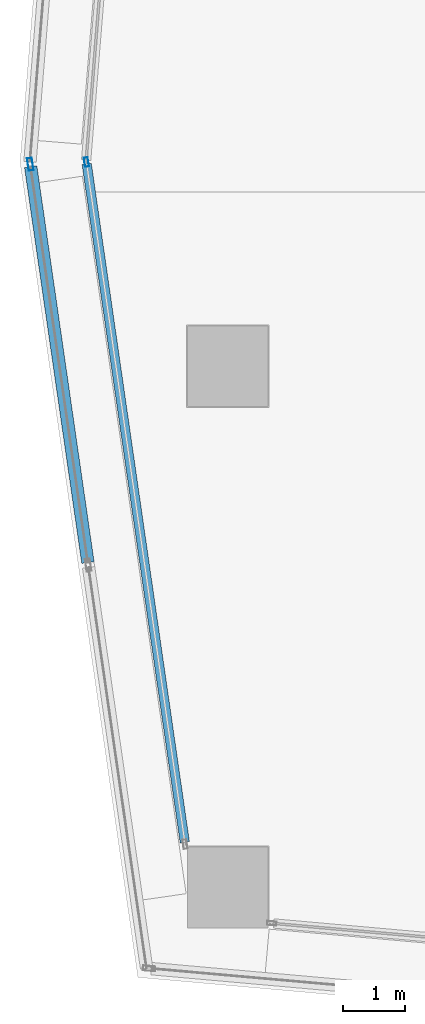
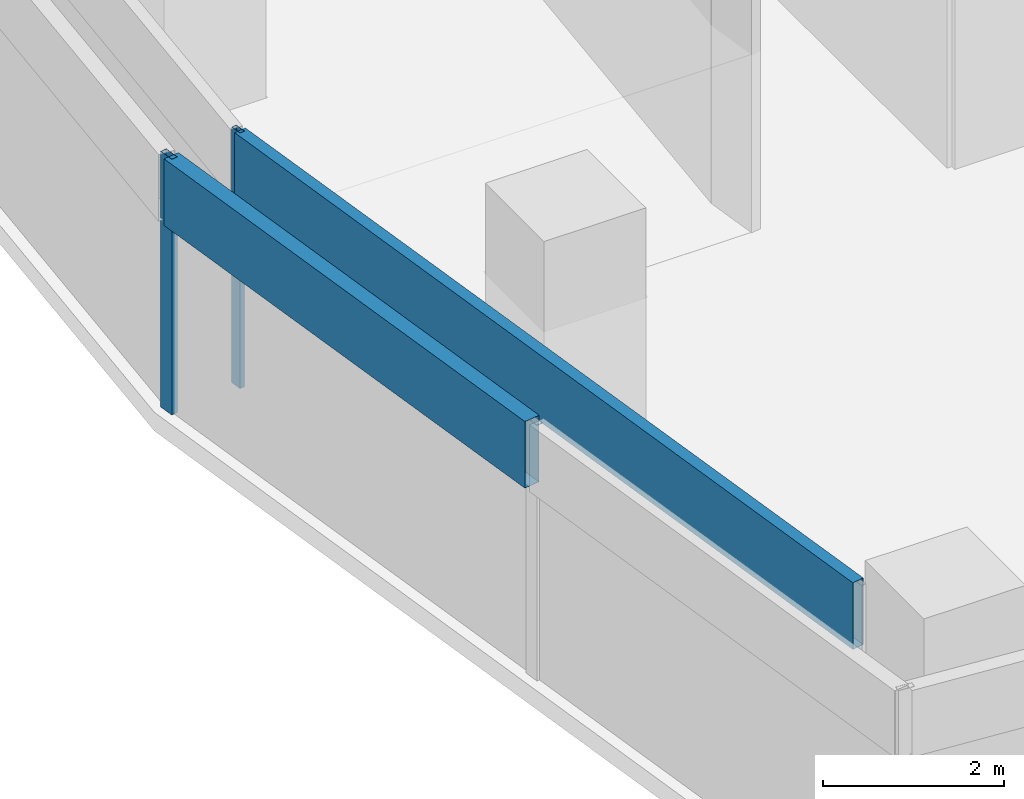
# One storey, part 4 of 30: 4 members, 2 elements without a shape of their own.
"""IFC4 building model written with IfcOpenShell, lengths in metres."""

from ifc_helpers import new_model, si_unit, direction, frame, origin, origin_2d, place, context, subcontext, project, spatial, hollow_rectangle, extrude, material, material_profile, profile_set, type_object, element, aggregate, save


model = new_model("IFC4")

# Units and contexts
model_context = context("Model", 3, precision=1e-05, world=origin(), true_north=direction((0.0, 1.0)))
body_context = subcontext(model_context, "Body", "Model", "MODEL_VIEW")
ifc_project = project(units=[si_unit("LENGTHUNIT", "METRE"), si_unit("AREAUNIT", "SQUARE_METRE"), si_unit("VOLUMEUNIT", "CUBIC_METRE"), si_unit("PLANEANGLEUNIT", "RADIAN"), si_unit("MASSUNIT", "GRAM", prefix="KILO")], contexts=[model_context])

# Site, building, storey
site_placement = place(None, origin())
site = spatial("IfcSite", under=ifc_project, at=site_placement, CompositionType="ELEMENT")
building_placement = place(site_placement, origin())
building = spatial("IfcBuilding", under=site, at=building_placement, Name="Rekha Terrace Tower", CompositionType="ELEMENT")
storey_placement = place(building_placement, frame((0.0, 0.0, 287.60009765625)))
storey = spatial("IfcBuildingStorey", under=building, at=storey_placement, Name="L73", CompositionType="ELEMENT", Elevation=287.60009765625)

# Curtain wall, members
ifc_material_1 = material(Name="Aluminium framing", Category="aluminium")
curtain_wall_type_1 = type_object("IfcCurtainWallType", Name="CW1 double skin inner glazing", PredefinedType="USERDEFINED", material=ifc_material_1)
curtain_wall_1_placement = place(storey_placement, origin())
curtain_wall_1 = element("IfcCurtainWall", 1, at=curtain_wall_1_placement, inside=storey, type_object=curtain_wall_type_1, Name="CW1 double skin inner glazing", ObjectType="DOUBLE SKIN INNER GLAZING", PredefinedType="USERDEFINED")
ifc_material_2 = material(Name="Aluminium mullion section", Category="aluminium")
ifc_material_profile_1 = material_profile(ifc_material_2, hollow_rectangle(XDim=0.06494140625, YDim=0.14990234375, WallThickness=0.00390625, at=origin_2d()), Name="AL RHS 65x150")
ifc_profile_set_1 = profile_set([ifc_material_profile_1], Name="Aluminium mullion section")
member_type_1 = type_object("IfcMemberType", Name="CW1 mullion RHS 65 x 150", PredefinedType="MULLION", material=ifc_profile_set_1)
member_1_placement = place(storey_placement, frame((6.120849609375, 28.4912109375, 0.0), z_axis=(0.0, 0.0, 1.0), x_axis=(0.989707031394, 0.143108322643, 0.0)))
member_1 = element("IfcMember", 2, at=member_1_placement, type_object=member_type_1, Name="CW1 mullion 1", PredefinedType="MULLION", context=body_context, shape_type="SweptSolid", body=[
    extrude(hollow_rectangle(XDim=0.06494140625, YDim=0.14990234375, WallThickness=0.00390625, at=origin_2d()), origin(), (0.0, 0.0, 1.0), 3.449951171875),
])
ifc_material_3 = material(Name="Insulated aluminium spandrel box", Category="aluminium")
ifc_material_profile_2 = material_profile(ifc_material_3, hollow_rectangle(XDim=0.14990234375, YDim=0.89990234375, WallThickness=0.0029296875, at=origin_2d()), Name="AL SPANDREL BOX 150x900")
ifc_profile_set_2 = profile_set([ifc_material_profile_2], Name="Insulated aluminium spandrel box")
member_type_2 = type_object("IfcMemberType", Name="CW1 spandrel transom 150 x 900", PredefinedType="USERDEFINED", material=ifc_profile_set_2)
member_2_placement = place(storey_placement, frame((6.12548828125, 28.458984375, 3.0), z_axis=(0.143104894735, -0.989707527052, 0.0), x_axis=(0.989707527052, 0.143104894735, 0.0)))
member_2 = element("IfcMember", 3, at=member_2_placement, type_object=member_type_2, Name="CW1 spandrel transom 1", ObjectType="TRANSOM", PredefinedType="USERDEFINED", context=body_context, shape_type="SweptSolid", body=[
    extrude(hollow_rectangle(XDim=0.14990234375, YDim=0.89990234375, WallThickness=0.0029296875, at=origin_2d()), origin(), (0.0, 0.0, 1.0), 11.043212890625),
])
aggregate(curtain_wall_1, [member_1, member_2])

curtain_wall_type_2 = type_object("IfcCurtainWallType", Name="CW2 double skin outer glazing", PredefinedType="USERDEFINED", material=ifc_material_1)
curtain_wall_2_placement = place(storey_placement, origin())
curtain_wall_2 = element("IfcCurtainWall", 4, at=curtain_wall_2_placement, inside=storey, type_object=curtain_wall_type_2, Name="CW2 double skin outer glazing", ObjectType="DOUBLE SKIN OUTER GLAZING", PredefinedType="USERDEFINED")
ifc_material_profile_3 = material_profile(ifc_material_2, hollow_rectangle(XDim=0.080078125, YDim=0.199951171875, WallThickness=0.00390625, at=origin_2d()), Name="AL RHS 80x200")
ifc_profile_set_3 = profile_set([ifc_material_profile_3], Name="Aluminium mullion section")
member_type_3 = type_object("IfcMemberType", Name="CW2 mullion RHS 80 x 200", PredefinedType="MULLION", material=ifc_profile_set_3)
member_3_placement = place(storey_placement, frame((5.216552734375, 28.455322265625, 0.0), z_axis=(0.0, 0.0, 1.0), x_axis=(0.989707031389, 0.143108322678, 0.0)))
member_3 = element("IfcMember", 5, at=member_3_placement, type_object=member_type_3, Name="CW2 mullion 1", PredefinedType="MULLION", context=body_context, shape_type="SweptSolid", body=[
    extrude(hollow_rectangle(XDim=0.080078125, YDim=0.199951171875, WallThickness=0.00390625, at=origin_2d()), origin(), (0.0, 0.0, 1.0), 3.449951171875),
])
ifc_material_profile_4 = material_profile(ifc_material_3, hollow_rectangle(XDim=0.199951171875, YDim=0.89990234375, WallThickness=0.0029296875, at=origin_2d()), Name="AL SPANDREL BOX 200x900")
ifc_profile_set_4 = profile_set([ifc_material_profile_4], Name="Insulated aluminium spandrel box")
member_type_4 = type_object("IfcMemberType", Name="CW2 spandrel transom 200 x 900", PredefinedType="USERDEFINED", material=ifc_profile_set_4)
member_4_placement = place(storey_placement, frame((5.222412109375, 28.415771484375, 3.0), z_axis=(0.143091438807, -0.989709472593, 0.0), x_axis=(0.989709472593, 0.143091438807, 0.0)))
member_4 = element("IfcMember", 6, at=member_4_placement, type_object=member_type_4, Name="CW2 spandrel transom 1", ObjectType="TRANSOM", PredefinedType="USERDEFINED", context=body_context, shape_type="SweptSolid", body=[
    extrude(hollow_rectangle(XDim=0.199951171875, YDim=0.89990234375, WallThickness=0.0029296875, at=origin_2d()), origin(), (0.0, 0.0, 1.0), 6.446044921875),
])
aggregate(curtain_wall_2, [member_3, member_4])

save(model, "model.ifc")
